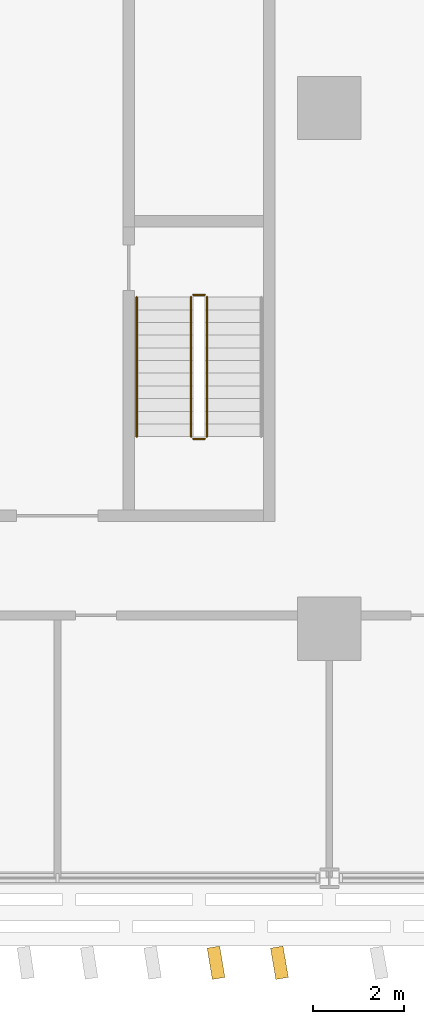
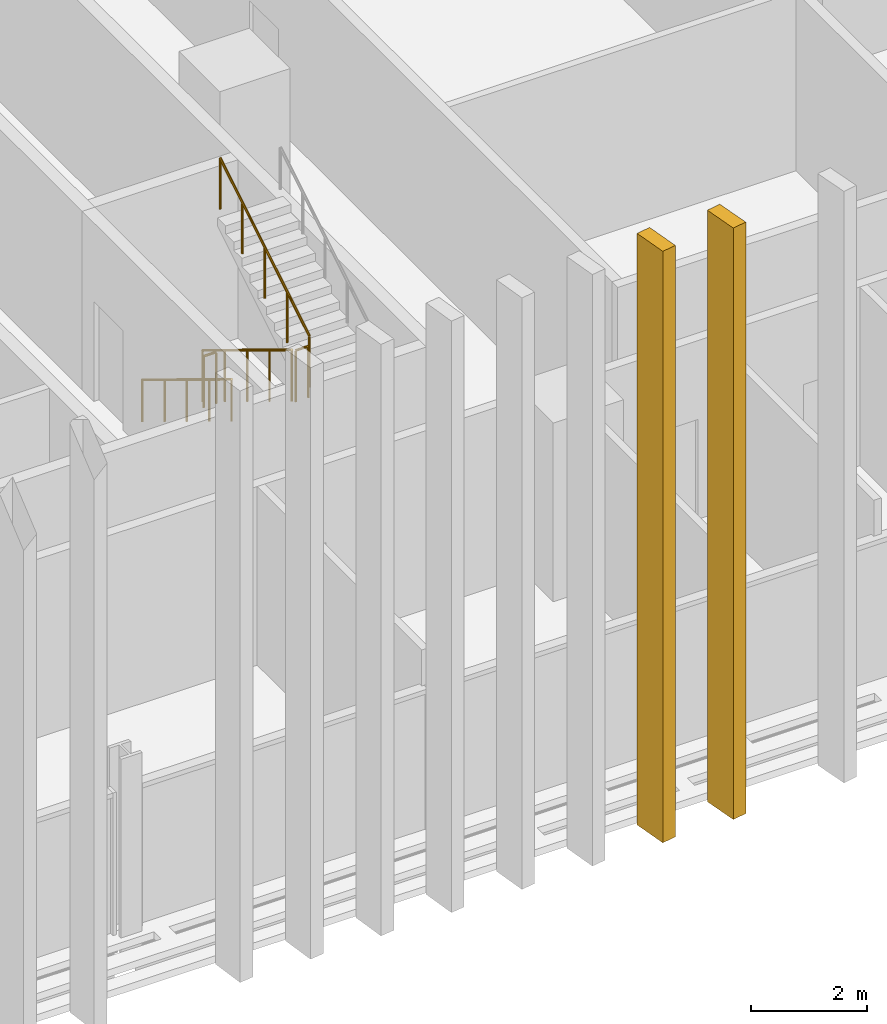
# One storey, part 25 of 31: 5 railings, 2 coverings.
"""IFC4 building model written with IfcOpenShell, lengths in metres."""

from ifc_helpers import new_model, si_unit, direction, frame, origin, origin_2d, place, context, subcontext, project, spatial, rectangle, circle, extrude, material, layer, layer_set, type_object, element, save


model = new_model("IFC4")

# Units and contexts
model_context = context("Model", 3, precision=1e-05, world=origin(), true_north=direction((0.0, 1.0)))
body_context = subcontext(model_context, "Body", "Model", "MODEL_VIEW")
ifc_project = project(units=[si_unit("LENGTHUNIT", "METRE"), si_unit("AREAUNIT", "SQUARE_METRE"), si_unit("VOLUMEUNIT", "CUBIC_METRE"), si_unit("PLANEANGLEUNIT", "RADIAN"), si_unit("MASSUNIT", "GRAM", prefix="KILO")], contexts=[model_context])

# Site, building, storey
site_placement = place(None, origin())
site = spatial("IfcSite", under=ifc_project, at=site_placement, CompositionType="ELEMENT")
building_placement = place(site_placement, origin())
building = spatial("IfcBuilding", under=site, at=building_placement, Name="Mahtab Terrace Research Tower", CompositionType="ELEMENT")
storey_placement = place(building_placement, frame((0.0, 0.0, 101.199951171875)))
storey = spatial("IfcBuildingStorey", under=building, at=storey_placement, Name="L23", CompositionType="ELEMENT", Elevation=101.199951171875)

# Railings
ifc_material_1 = material(Name="Stainless steel AISI 304", Category="steel")
railing_type_1 = type_object("IfcRailingType", Name="Stair guard 1100", PredefinedType="GUARDRAIL", material=ifc_material_1)
railing_1_placement = place(storey_placement, frame((2.949951171875, -4.175048828125, 0.1708984375)))
element("IfcRailing", 1, at=railing_1_placement, inside=storey, type_object=railing_type_1, Name="L23 ST2 stair guard 1", PredefinedType="GUARDRAIL", context=body_context, shape_type="SweptSolid", body=[
    extrude(circle(Radius=0.02392578125, at=origin_2d()), frame((0.0, 0.0, 1.076171875), z_axis=(0.0, -0.853647949592, 0.520850437417), x_axis=(1.0, 0.0, 0.0)), (0.0, 0.0, 1.0), 3.60791015625),
    extrude(circle(Radius=0.02099609375, at=origin_2d()), origin(), (0.0, 0.0, 1.0), 1.052001953125),
    extrude(circle(Radius=0.02099609375, at=origin_2d()), frame((0.0, -0.77001953125, 0.4697265625)), (0.0, 0.0, 1.0), 1.052001953125),
    extrude(circle(Radius=0.02099609375, at=origin_2d()), frame((0.0, -1.5400390625, 0.939453125)), (0.0, 0.0, 1.0), 1.052001953125),
    extrude(circle(Radius=0.02099609375, at=origin_2d()), frame((0.0, -2.309814453125, 1.409423828125)), (0.0, 0.0, 1.0), 1.052001953125),
    extrude(circle(Radius=0.02099609375, at=origin_2d()), frame((0.0, -3.079833984375, 1.879150390625)), (0.0, 0.0, 1.0), 1.052001953125),
])
railing_2_placement = place(storey_placement, frame((3.0, -7.304931640625, 2.050048828125)))
element("IfcRailing", 2, at=railing_2_placement, inside=storey, type_object=railing_type_1, Name="L23 ST2 stair guard 2", PredefinedType="GUARDRAIL", context=body_context, shape_type="SweptSolid", body=[
    extrude(circle(Radius=0.02392578125, at=origin_2d()), frame((0.0, 0.0, 1.076171875), z_axis=(1.0, 0.0, 0.0), x_axis=(0.0, 1.0, 0.0)), (0.0, 0.0, 1.0), 0.25),
    extrude(circle(Radius=0.02099609375, at=origin_2d()), origin(), (0.0, 0.0, 1.0), 1.052001953125),
    extrude(circle(Radius=0.02099609375, at=origin_2d()), frame((0.25, 0.0, 0.0)), (0.0, 0.0, 1.0), 1.052001953125),
])
railing_3_placement = place(storey_placement, frame((3.300048828125, -7.2548828125, 2.220947265625)))
element("IfcRailing", 3, at=railing_3_placement, inside=storey, type_object=railing_type_1, Name="L23 ST2 stair guard 3", PredefinedType="GUARDRAIL", context=body_context, shape_type="SweptSolid", body=[
    extrude(circle(Radius=0.02392578125, at=origin_2d()), frame((0.0, 0.0, 1.076171875), z_axis=(0.0, 0.853647949592, 0.520850437417), x_axis=(-1.0, 0.0, 0.0)), (0.0, 0.0, 1.0), 3.60791015625),
    extrude(circle(Radius=0.02099609375, at=origin_2d()), origin(), (0.0, 0.0, 1.0), 1.052001953125),
    extrude(circle(Radius=0.02099609375, at=origin_2d()), frame((0.0, 0.77001953125, 0.4697265625)), (0.0, 0.0, 1.0), 1.052001953125),
    extrude(circle(Radius=0.02099609375, at=origin_2d()), frame((0.0, 1.5400390625, 0.939453125)), (0.0, 0.0, 1.0), 1.052001953125),
    extrude(circle(Radius=0.02099609375, at=origin_2d()), frame((0.0, 2.309814453125, 1.409423828125)), (0.0, 0.0, 1.0), 1.052001953125),
    extrude(circle(Radius=0.02099609375, at=origin_2d()), frame((0.0, 3.079833984375, 1.879150390625)), (0.0, 0.0, 1.0), 1.052001953125),
])
railing_4_placement = place(storey_placement, frame((3.0, -4.125, 0.0)))
element("IfcRailing", 4, at=railing_4_placement, inside=storey, type_object=railing_type_1, Name="L23 ST2 stair guard 4", PredefinedType="GUARDRAIL", context=body_context, shape_type="SweptSolid", body=[
    extrude(circle(Radius=0.02392578125, at=origin_2d()), frame((0.0, 0.0, 1.076171875), z_axis=(1.0, 0.0, 0.0), x_axis=(0.0, 1.0, 0.0)), (0.0, 0.0, 1.0), 0.25),
    extrude(circle(Radius=0.02099609375, at=origin_2d()), origin(), (0.0, 0.0, 1.0), 1.052001953125),
    extrude(circle(Radius=0.02099609375, at=origin_2d()), frame((0.25, 0.0, 0.0)), (0.0, 0.0, 1.0), 1.052001953125),
])
railing_type_2 = type_object("IfcRailingType", Name="Stair handrail 900", PredefinedType="HANDRAIL", material=ifc_material_1)
railing_5_placement = place(storey_placement, frame((1.75, -4.175048828125, 0.1708984375)))
element("IfcRailing", 5, at=railing_5_placement, inside=storey, type_object=railing_type_2, Name="L23 ST2 stair handrail 1", PredefinedType="HANDRAIL", context=body_context, shape_type="SweptSolid", body=[
    extrude(circle(Radius=0.02392578125, at=origin_2d()), frame((0.0, 0.0, 0.8759765625), z_axis=(0.0, -0.853647949592, 0.520850437417), x_axis=(1.0, 0.0, 0.0)), (0.0, 0.0, 1.0), 3.60791015625),
    extrude(circle(Radius=0.02099609375, at=origin_2d()), origin(), (0.0, 0.0, 1.0), 0.851806640625),
    extrude(circle(Radius=0.02099609375, at=origin_2d()), frame((0.0, -0.77001953125, 0.4697265625)), (0.0, 0.0, 1.0), 0.851806640625),
    extrude(circle(Radius=0.02099609375, at=origin_2d()), frame((0.0, -1.5400390625, 0.939453125)), (0.0, 0.0, 1.0), 0.851806640625),
    extrude(circle(Radius=0.02099609375, at=origin_2d()), frame((0.0, -2.309814453125, 1.409423828125)), (0.0, 0.0, 1.0), 0.851806640625),
    extrude(circle(Radius=0.02099609375, at=origin_2d()), frame((0.0, -3.079833984375, 1.879150390625)), (0.0, 0.0, 1.0), 0.851806640625),
])

# Coverings
ifc_material_2 = material(Name="Bronze anodised aluminium", Category="aluminium")
ifc_layer = layer(ifc_material_2, 0.1201171875)
ifc_layer_set = layer_set([ifc_layer], Name="Vertical fin 700")
covering_type = type_object("IfcCoveringType", Name="Vertical fin 700", PredefinedType="CLADDING", material=ifc_layer_set)
for number, where, z_axis, x_axis, name in (
    (6, (3.5, -18.8681640625, -0.14990234375), (0.0, 0.0, 1.0), (0.986558584029, 0.163407956598, 0.0), "Fin L23 S7"),
    (7, (4.89990234375, -18.86865234375, -0.14990234375), (0.0, 0.0, 1.0), (0.985591224765, 0.169144724024, 0.0), "Fin L23 S8"),
):
    element("IfcCovering", number, at=place(storey_placement, frame(where, z_axis=z_axis, x_axis=x_axis)), inside=storey, type_object=covering_type, Name=name, PredefinedType="CLADDING", context=body_context, shape_type="SweptSolid", body=[
        extrude(rectangle(XDim=0.280029296875, YDim=0.699951171875, at=origin_2d()), origin(), (0.0, 0.0, 1.0), 12.449951171875),
    ])

save(model, "model.ifc")
